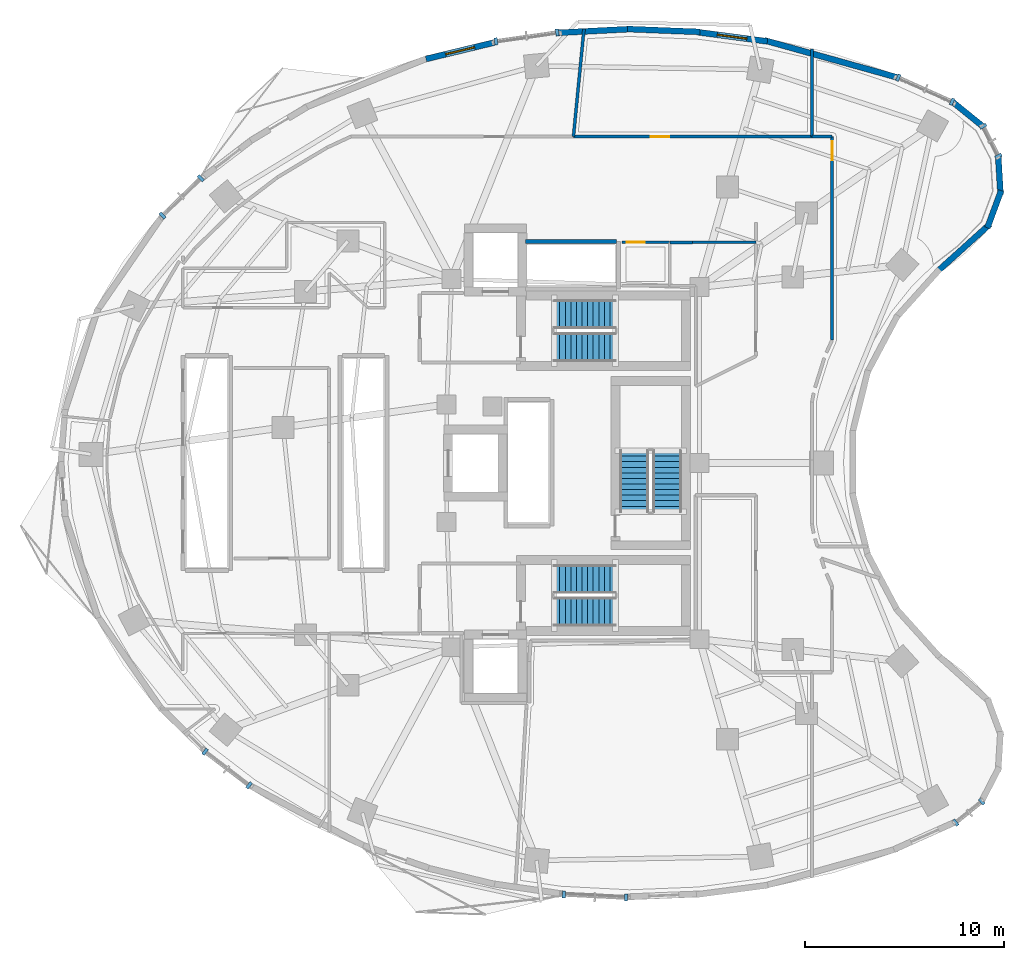
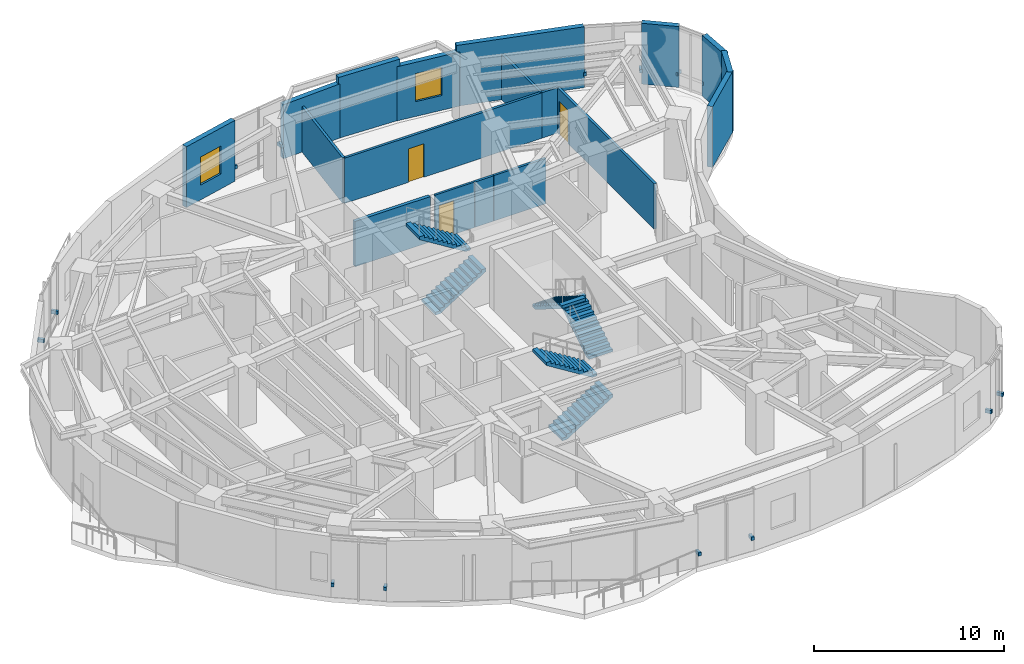
# One storey, part 10 of 13: 18 walls, 14 discrete accessories, 6 stair flights, 3 doors, 2 windows, 5 openings, 3 elements without a shape of their own.
"""IFC4 building model written with IfcOpenShell, lengths in metres."""

from ifc_helpers import new_model, si_unit, direction, frame, frame_2d, origin, origin_2d, place, context, subcontext, project, spatial, polyline, rectangle, outline, extrude, material, layer, layer_set, type_object, element, fill, aggregate, save


model = new_model("IFC4")

# Units and contexts
model_context = context("Model", 3, precision=1e-05, world=origin(), true_north=direction((0.0, 1.0)))
body_context = subcontext(model_context, "Body", "Model", "MODEL_VIEW")
ifc_project = project(units=[si_unit("LENGTHUNIT", "METRE"), si_unit("AREAUNIT", "SQUARE_METRE"), si_unit("VOLUMEUNIT", "CUBIC_METRE"), si_unit("PLANEANGLEUNIT", "RADIAN"), si_unit("MASSUNIT", "GRAM", prefix="KILO")], contexts=[model_context])

# Site, building, storey
site_placement = place(None, origin())
site = spatial("IfcSite", under=ifc_project, at=site_placement, CompositionType="ELEMENT")
building_placement = place(site_placement, origin())
building = spatial("IfcBuilding", under=site, at=building_placement, Name="Korentha Bioscience Tower", CompositionType="ELEMENT")
storey_placement = place(building_placement, frame((0.0, 0.0, 140.39990234375)))
storey = spatial("IfcBuildingStorey", under=building, at=storey_placement, Name="L32", CompositionType="ELEMENT", Elevation=140.39990234375)

# Wall, opening, door
ifc_material_1 = material(Name="Double-Stud Acoustic Gypsum", Category="gypsum")
ifc_layer_1 = layer(ifc_material_1, 0.14990234375, Name="Double-Stud Acoustic Gypsum")
ifc_layer_set_1 = layer_set([ifc_layer_1], Name="Double-Stud Acoustic Gypsum (IW-L150)")
wall_type_1 = type_object("IfcWallType", Name="Acoustic Laboratory Partition Wall 150", PredefinedType="PARTITIONING", material=ifc_layer_set_1)
wall_1_placement = place(storey_placement, frame((44.2099609375, 33.175048828125, 0.0), z_axis=(0.0, 0.0, 1.0), x_axis=(0.0, 1.0, 0.0)))
wall_1 = element("IfcWall", 1, at=wall_1_placement, inside=storey, type_object=wall_type_1, Name="L32 Neurobiology Electrophysiology Lab 06 Entrance Wall", PredefinedType="PARTITIONING", context=body_context, shape_type="SweptSolid", body=[
    extrude(rectangle(XDim=10.224853515625, YDim=0.14990234375, at=frame_2d((5.1123046875, 0.0))), origin(), (0.0, 0.0, 1.0), 2.91015625),
])
opening_1_placement = place(wall_1_placement, frame((9.034912109375, 0.0, 0.0)))
opening_1 = element("IfcOpeningElement", 2, at=opening_1_placement, cuts=wall_1, Name="Opening ID-10L", PredefinedType="OPENING", context=body_context, shape_type="SweptSolid", body=[
    extrude(rectangle(XDim=0.949951171875, YDim=2.14990234375, at=frame_2d((0.47509765625, 1.074951171875))), frame((0.0, 0.08984375, 0.0), z_axis=(0.0, -1.0, 0.0), x_axis=(1.0, 0.0, 0.0)), (0.0, 0.0, 1.0), 0.1796875),
])
ifc_material_2 = material(Name="Phenolic Laminate Timber Core", Category="wood")
door_type_1 = type_object("IfcDoorType", Name="Laboratory Single Leaf Door 950x2150 Left", OperationType="SINGLE_SWING_LEFT", PredefinedType="DOOR", material=ifc_material_2)
door_1_placement = place(opening_1_placement, origin())
door_1 = element("IfcDoor", 3, at=door_1_placement, inside=storey, type_object=door_type_1, Name="L32 Neurobiology Electrophysiology Lab 06 Door", OperationType="SINGLE_SWING_LEFT", OverallHeight=2.14990234375, OverallWidth=0.949951171875, PredefinedType="DOOR", context=body_context, shape_type="SweptSolid", body=[
    extrude(rectangle(XDim=0.949951171875, YDim=2.14990234375, at=frame_2d((0.47509765625, 1.074951171875))), frame((0.0, 0.02490234375, 0.0), z_axis=(0.0, -1.0, 0.0), x_axis=(1.0, 0.0, 0.0)), (0.0, 0.0, 1.0), 0.050048828125),
])
fill(opening_1, door_1)

wall_2_placement = place(storey_placement, frame((43.19189453125, 43.409912109375, 0.0), z_axis=(0.0, 0.0, 1.0), x_axis=(-1.0, 0.0, 0.0)))
wall_2 = element("IfcWall", 4, at=wall_2_placement, inside=storey, type_object=wall_type_1, Name="L32 Bio-Printing Tissue Engineering Lab 08 Entrance Wall", PredefinedType="PARTITIONING", context=body_context, shape_type="SweptSolid", body=[
    extrude(rectangle(XDim=11.97314453125, YDim=0.14990234375, at=frame_2d((5.986572265625, 0.0))), origin(), (0.0, 0.0, 1.0), 2.91015625),
])
opening_2_placement = place(wall_2_placement, frame((7.149658203125, 0.0, 0.0)))
opening_2 = element("IfcOpeningElement", 5, at=opening_2_placement, cuts=wall_2, Name="Opening ID-10L", PredefinedType="OPENING", context=body_context, shape_type="SweptSolid", body=[
    extrude(rectangle(XDim=0.949951171875, YDim=2.14990234375, at=frame_2d((0.47509765625, 1.074951171875))), frame((0.0, 0.08984375, 0.0), z_axis=(0.0, -1.0, 0.0), x_axis=(1.0, 0.0, 0.0)), (0.0, 0.0, 1.0), 0.1796875),
])
door_2_placement = place(opening_2_placement, origin())
door_2 = element("IfcDoor", 6, at=door_2_placement, inside=storey, type_object=door_type_1, Name="L32 Bio-Printing Tissue Engineering Lab 08 Door", OperationType="SINGLE_SWING_LEFT", OverallHeight=2.14990234375, OverallWidth=0.949951171875, PredefinedType="DOOR", context=body_context, shape_type="SweptSolid", body=[
    extrude(rectangle(XDim=0.949951171875, YDim=2.14990234375, at=frame_2d((0.47509765625, 1.074951171875))), frame((0.0, 0.02490234375, 0.0), z_axis=(0.0, -1.0, 0.0), x_axis=(1.0, 0.0, 0.0)), (0.0, 0.0, 1.0), 0.050048828125),
])
fill(opening_2, door_2)

# Walls
wall_3_placement = place(storey_placement, frame((44.199951171875, 43.409912109375, 0.0), z_axis=(0.0, 0.0, 1.0), x_axis=(-1.0, 0.0, 0.0)))
element("IfcWall", 7, at=wall_3_placement, inside=storey, type_object=wall_type_1, Name="L32 Interior Partition 052", PredefinedType="PARTITIONING", context=body_context, shape_type="SweptSolid", body=[
    extrude(rectangle(XDim=0.998046875, YDim=0.14990234375, at=frame_2d((0.4990234375, 0.0))), origin(), (0.0, 0.0, 1.0), 2.91015625),
])
wall_4_placement = place(storey_placement, frame((43.201904296875, 43.409912109375, 0.0), z_axis=(0.0, 0.0, 1.0), x_axis=(0.0, 1.0, 0.0)))
element("IfcWall", 8, at=wall_4_placement, inside=storey, type_object=wall_type_1, Name="L32 Interior Partition 053", PredefinedType="PARTITIONING", context=body_context, shape_type="SweptSolid", body=[
    extrude(rectangle(XDim=4.3984375, YDim=0.14990234375, at=frame_2d((2.19921875, 0.0))), origin(), (0.0, 0.0, 1.0), 2.91015625),
])
wall_5_placement = place(storey_placement, frame((31.21875, 43.409912109375, 0.0), z_axis=(0.0, 0.0, 1.0), x_axis=(0.097560057389, 0.995229639431, 0.0)))
element("IfcWall", 9, at=wall_5_placement, inside=storey, type_object=wall_type_1, Name="L32 Interior Partition 064", PredefinedType="PARTITIONING", context=body_context, shape_type="SweptSolid", body=[
    extrude(rectangle(XDim=5.4228515625, YDim=0.14990234375, at=frame_2d((2.71142578125, 0.0))), origin(), (0.0, 0.0, 1.0), 2.91015625),
])
ifc_material_3 = material(Name="Insulated Aluminium Honeycomb Panel", Category="aluminium")
ifc_layer_2 = layer(ifc_material_3, 0.139892578125, Name="Insulated Aluminium Honeycomb Panel")
ifc_layer_set_2 = layer_set([ifc_layer_2], Name="Insulated Aluminium Honeycomb Panel (IW-F60)")
wall_type_2 = type_object("IfcWallType", Name="Cleanroom Flush Metal Panel Partition 140", PredefinedType="PARTITIONING", material=ifc_layer_set_2)
wall_6_placement = place(storey_placement, frame((36.06005859375, 38.090087890625, 0.0), z_axis=(0.0, 0.0, 1.0), x_axis=(1.0, 0.0, 0.0)))
element("IfcWall", 10, at=wall_6_placement, inside=storey, type_object=wall_type_2, Name="L32 Interior Partition 060", PredefinedType="PARTITIONING", context=body_context, shape_type="SweptSolid", body=[
    extrude(rectangle(XDim=1.139892578125, YDim=0.139892578125, at=frame_2d((0.56982421875, 0.0))), origin(), (0.0, 0.0, 1.0), 2.91015625),
])
wall_7_placement = place(storey_placement, frame((37.2099609375, 38.10009765625, 0.0), z_axis=(0.0, 0.0, 1.0), x_axis=(1.0, 0.0, 0.0)))
element("IfcWall", 11, at=wall_7_placement, inside=storey, type_object=wall_type_2, Name="L32 Interior Partition 062", PredefinedType="PARTITIONING", context=body_context, shape_type="SweptSolid", body=[
    extrude(rectangle(XDim=3.179931640625, YDim=0.139892578125, at=frame_2d((1.58984375, 0.0))), origin(), (0.0, 0.0, 1.0), 2.91015625),
])

# Wall, opening, window
ifc_material_4 = material(Name="Honed Limestone Precast Concrete C40", Category="masonry")
ifc_layer_3 = layer(ifc_material_4, 0.300048828125, Name="Honed Limestone Precast Concrete C40")
ifc_layer_set_3 = layer_set([ifc_layer_3], Name="Honed Limestone Precast Concrete C40 (EW-ST300)")
wall_type_3 = type_object("IfcWallType", Name="Honed Limestone Cavity Spandrel Wall 300", PredefinedType="STANDARD", material=ifc_layer_set_3)
wall_8_placement = place(storey_placement, frame((40.964111328125, 48.18994140625, 0.0), z_axis=(0.0, 0.0, 1.0), x_axis=(-0.991369257822, 0.131099178664, 0.0)))
wall_8 = element("IfcWall", 12, at=wall_8_placement, inside=storey, type_object=wall_type_3, Name="L32 Honed Limestone Spandrel Wall 04", PredefinedType="STANDARD", context=body_context, shape_type="SweptSolid", body=[
    extrude(rectangle(XDim=3.575439453125, YDim=0.300048828125, at=frame_2d((1.78759765625, 0.0))), origin(), (0.0, 0.0, 1.0), 3.47021484375),
])
opening_3_placement = place(wall_8_placement, frame((1.03759765625, 0.0, 0.949951171875)))
opening_3 = element("IfcOpeningElement", 13, at=opening_3_placement, cuts=wall_8, Name="Opening WN-02", PredefinedType="OPENING", context=body_context, shape_type="SweptSolid", body=[
    extrude(rectangle(XDim=1.5, YDim=1.800048828125, at=frame_2d((0.75, 0.89990234375))), frame((0.0, 0.1650390625, 0.0), z_axis=(0.0, -1.0, 0.0), x_axis=(1.0, 0.0, 0.0)), (0.0, 0.0, 1.0), 0.329833984375),
])
ifc_material_5 = material(Name="Thermally Broken Aluminium Triple Glazing", Category="aluminium")
window_type = type_object("IfcWindowType", Name="Acoustic Operable Office Window 1500x1800", PartitioningType="DOUBLE_PANEL_VERTICAL", PredefinedType="WINDOW", material=ifc_material_5)
window_1_placement = place(opening_3_placement, origin())
window_1 = element("IfcWindow", 14, at=window_1_placement, inside=storey, type_object=window_type, Name="L32 Facade Window 04", OverallHeight=1.800048828125, OverallWidth=1.5, PartitioningType="DOUBLE_PANEL_VERTICAL", PredefinedType="WINDOW", context=body_context, shape_type="SweptSolid", body=[
    extrude(rectangle(XDim=1.5, YDim=1.800048828125, at=frame_2d((0.75, 0.89990234375))), frame((0.0, 0.030029296875, 0.0), z_axis=(0.0, -1.0, 0.0), x_axis=(1.0, 0.0, 0.0)), (0.0, 0.0, 1.0), 0.06005859375),
])
fill(opening_3, window_1)

wall_9_placement = place(storey_placement, frame((27.23828125, 48.1337890625, 0.0), z_axis=(0.0, 0.0, 1.0), x_axis=(-0.972049000874, -0.234778065203, 0.0)))
wall_9 = element("IfcWall", 15, at=wall_9_placement, inside=storey, type_object=wall_type_3, Name="L32 Honed Limestone Spandrel Wall 08", PredefinedType="STANDARD", context=body_context, shape_type="SweptSolid", body=[
    extrude(rectangle(XDim=3.5283203125, YDim=0.300048828125, at=frame_2d((1.76416015625, 0.0))), origin(), (0.0, 0.0, 1.0), 3.900146484375),
])
opening_4_placement = place(wall_9_placement, frame((1.014404296875, 0.0, 0.949951171875)))
opening_4 = element("IfcOpeningElement", 16, at=opening_4_placement, cuts=wall_9, Name="Opening WN-02", PredefinedType="OPENING", context=body_context, shape_type="SweptSolid", body=[
    extrude(rectangle(XDim=1.5, YDim=1.800048828125, at=frame_2d((0.75, 0.89990234375))), frame((0.0, 0.1650390625, 0.0), z_axis=(0.0, -1.0, 0.0), x_axis=(1.0, 0.0, 0.0)), (0.0, 0.0, 1.0), 0.329833984375),
])
window_2_placement = place(opening_4_placement, origin())
window_2 = element("IfcWindow", 17, at=window_2_placement, inside=storey, type_object=window_type, Name="L32 Facade Window 08", OverallHeight=1.800048828125, OverallWidth=1.5, PartitioningType="DOUBLE_PANEL_VERTICAL", PredefinedType="WINDOW", context=body_context, shape_type="SweptSolid", body=[
    extrude(rectangle(XDim=1.5, YDim=1.800048828125, at=frame_2d((0.75, 0.89990234375))), frame((0.0, 0.030029296875, 0.0), z_axis=(0.0, -1.0, 0.0), x_axis=(1.0, 0.0, 0.0)), (0.0, 0.0, 1.0), 0.06005859375),
])
fill(opening_4, window_2)

# Walls
wall_10_placement = place(storey_placement, frame((47.47900390625, 46.380126953125, 0.0), z_axis=(0.0, 0.0, 1.0), x_axis=(-0.963116215402, 0.269085777459, 0.0)))
element("IfcWall", 18, at=wall_10_placement, inside=storey, type_object=wall_type_3, Name="L32 Limestone Perimeter Closure Wall 02", PredefinedType="STANDARD", context=body_context, shape_type="SweptSolid", body=[
    extrude(rectangle(XDim=6.923583984375, YDim=0.300048828125, at=frame_2d((3.4619140625, 0.0))), origin(), (0.0, 0.0, 1.0), 3.900146484375),
])
wall_11_placement = place(storey_placement, frame((37.574462890625, 48.666259765625, 0.0), z_axis=(0.0, 0.0, 1.0), x_axis=(-0.999212076676, 0.039689114679, 0.0)))
element("IfcWall", 19, at=wall_11_placement, inside=storey, type_object=wall_type_3, Name="L32 Limestone Perimeter Closure Wall 05", PredefinedType="STANDARD", context=body_context, shape_type="SweptSolid", body=[
    extrude(rectangle(XDim=3.635498046875, YDim=0.300048828125, at=frame_2d((1.81787109375, 0.0))), origin(), (0.0, 0.0, 1.0), 3.900146484375),
])
wall_12_placement = place(storey_placement, frame((34.114501953125, 48.8115234375, 0.0), z_axis=(0.0, 0.0, 1.0), x_axis=(-0.998674767218, -0.051465613004, 0.0)))
element("IfcWall", 20, at=wall_12_placement, inside=storey, type_object=wall_type_3, Name="L32 Limestone Perimeter Closure Wall 06", PredefinedType="STANDARD", context=body_context, shape_type="SweptSolid", body=[
    extrude(rectangle(XDim=3.6337890625, YDim=0.300048828125, at=frame_2d((1.81689453125, 0.0))), origin(), (0.0, 0.0, 1.0), 3.47021484375),
])
wall_13_placement = place(storey_placement, frame((49.51318359375, 36.6357421875, 0.0), z_axis=(0.0, 0.0, 1.0), x_axis=(0.74255963233, 0.669779958221, 0.0)))
element("IfcWall", 21, at=wall_13_placement, inside=storey, type_object=wall_type_3, Name="L32 Limestone Perimeter Closure Wall 57", PredefinedType="STANDARD", context=body_context, shape_type="SweptSolid", body=[
    extrude(rectangle(XDim=3.5390625, YDim=0.300048828125, at=frame_2d((1.76953125, 0.0))), origin(), (0.0, 0.0, 1.0), 3.900146484375),
])
wall_14_placement = place(storey_placement, frame((52.016357421875, 38.822265625, 0.0), z_axis=(0.0, 0.0, 1.0), x_axis=(0.347370087337, 0.937728117539, 0.0)))
element("IfcWall", 22, at=wall_14_placement, inside=storey, type_object=wall_type_3, Name="L32 Limestone Perimeter Closure Wall 59", PredefinedType="STANDARD", context=body_context, shape_type="SweptSolid", body=[
    extrude(rectangle(XDim=1.997314453125, YDim=0.300048828125, at=frame_2d((0.99853515625, 0.0))), origin(), (0.0, 0.0, 1.0), 3.900146484375),
])
for number, where, z_axis, x_axis, name in (
    (23, (52.678955078125, 40.4833984375, 0.0), (0.0, 0.0, 1.0), (-0.060255200356, 0.998183004679, 0.0), "L32 Limestone Perimeter Closure Wall 60"),
    (24, (51.83642578125, 43.880615234375, 0.0), (0.0, 0.0, 1.0), (-0.777338789647, 0.629082193445, 0.0), "L32 Limestone Perimeter Closure Wall 62"),
):
    element("IfcWall", number, at=place(storey_placement, frame(where, z_axis=z_axis, x_axis=x_axis)), inside=storey, type_object=wall_type_3, Name=name, PredefinedType="STANDARD", context=body_context, shape_type="SweptSolid", body=[
        extrude(rectangle(XDim=1.99755859375, YDim=0.300048828125, at=frame_2d((0.998779296875, 0.0))), origin(), (0.0, 0.0, 1.0), 3.900146484375),
    ])
ifc_material_6 = material(Name="Autoclaved Aerated Concrete Block C25", Category="concrete")
ifc_layer_4 = layer(ifc_material_6, 0.199951171875, Name="Autoclaved Aerated Concrete Block C25")
ifc_layer_set_4 = layer_set([ifc_layer_4], Name="Autoclaved Aerated Concrete Block C25 (IW-S200)")
wall_type_4 = type_object("IfcWallType", Name="Lift and Riser Shaft Enclosure Wall 200", PredefinedType="PARTITIONING", material=ifc_layer_set_4)
wall_15_placement = place(storey_placement, frame((28.800048828125, 38.139892578125, 0.0), z_axis=(0.0, 0.0, 1.0), x_axis=(1.0, 0.0, 0.0)))
element("IfcWall", 25, at=wall_15_placement, inside=storey, type_object=wall_type_4, Name="L32 Lift Bank OBS Shaft Wall +Y", PredefinedType="PARTITIONING", context=body_context, shape_type="SweptSolid", body=[
    extrude(rectangle(XDim=4.570068359375, YDim=0.199951171875, at=frame_2d((2.28515625, 0.0))), origin(), (0.0, 0.0, 1.0), 2.91015625),
])

# Wall, opening, door
ifc_material_7 = material(Name="Cement-Board Steel Stud", Category="steel")
ifc_layer_5 = layer(ifc_material_7, 0.1298828125, Name="Cement-Board Steel Stud")
ifc_layer_set_5 = layer_set([ifc_layer_5], Name="Cement-Board Steel Stud (IW-W130)")
wall_type_5 = type_object("IfcWallType", Name="Wet-Area Moisture-Resistant Partition 130", PredefinedType="PARTITIONING", material=ifc_layer_set_5)
wall_16_placement = place(storey_placement, frame((33.64990234375, 38.090087890625, 0.0), z_axis=(0.0, 0.0, 1.0), x_axis=(1.0, 0.0, 0.0)))
wall_16 = element("IfcWall", 26, at=wall_16_placement, inside=storey, type_object=wall_type_5, Name="L32 Accessible Staff WC Entrance Wall", PredefinedType="PARTITIONING", context=body_context, shape_type="SweptSolid", body=[
    extrude(rectangle(XDim=2.400146484375, YDim=0.1298828125, at=frame_2d((1.2001953125, 0.0))), origin(), (0.0, 0.0, 1.0), 2.91015625),
])
opening_5_placement = place(wall_16_placement, frame((0.239990234375, 0.0, 0.0)))
opening_5 = element("IfcOpeningElement", 27, at=opening_5_placement, cuts=wall_16, Name="Opening ID-09L", PredefinedType="OPENING", context=body_context, shape_type="SweptSolid", body=[
    extrude(rectangle(XDim=0.89990234375, YDim=2.14990234375, at=frame_2d((0.449951171875, 1.074951171875))), frame((0.0, 0.079833984375, 0.0), z_axis=(0.0, -1.0, 0.0), x_axis=(1.0, 0.0, 0.0)), (0.0, 0.0, 1.0), 0.15966796875),
])
ifc_material_8 = material(Name="Moisture-Resistant HPL Leaf", Category="wood")
door_type_2 = type_object("IfcDoorType", Name="Restroom & Accessible WC Door 900x2150 Left", OperationType="SINGLE_SWING_LEFT", PredefinedType="DOOR", material=ifc_material_8)
door_3_placement = place(opening_5_placement, origin())
door_3 = element("IfcDoor", 28, at=door_3_placement, inside=storey, type_object=door_type_2, Name="L32 Accessible Staff WC Door", OperationType="SINGLE_SWING_LEFT", OverallHeight=2.14990234375, OverallWidth=0.89990234375, PredefinedType="DOOR", context=body_context, shape_type="SweptSolid", body=[
    extrude(rectangle(XDim=0.89990234375, YDim=2.14990234375, at=frame_2d((0.449951171875, 1.074951171875))), frame((0.0, 0.02490234375, 0.0), z_axis=(0.0, -1.0, 0.0), x_axis=(1.0, 0.0, 0.0)), (0.0, 0.0, 1.0), 0.050048828125),
])
fill(opening_5, door_3)

# Stair, stair flights
ifc_material_9 = material(Name="Precast Concrete C50", Category="concrete")
stair_type = type_object("IfcStairType", Name="Core Exit Dog-Leg Stair 1450", PredefinedType="HALF_TURN_STAIR", material=ifc_material_9)
stair_1_placement = place(storey_placement, origin())
stair_1 = element("IfcStair", 29, at=stair_1_placement, inside=storey, type_object=stair_type, Name="L32 Tower North Pressurized Exit Stair ST-1", PredefinedType="HALF_TURN_STAIR")
stair_flight_type = type_object("IfcStairFlightType", Name="Core Exit Dog-Leg Stair 1450 Flight", PredefinedType="STRAIGHT", material=ifc_material_9)
stair_flight_1_placement = place(storey_placement, frame((30.25, 32.824951171875, 0.0), z_axis=(0.0, 0.0, 1.0), x_axis=(1.0, 0.0, 0.0)))
stair_flight_1 = element("IfcStairFlight", 30, at=stair_flight_1_placement, type_object=stair_flight_type, Name="ST-1 flight 1", NumberOfRisers=12, NumberOfTreads=11, PredefinedType="STRAIGHT", RiserHeight=0.175, TreadLength=0.28, context=body_context, shape_type="SweptSolid", body=[
    extrude(outline(polyline([(0.0, 0.0), (0.0, 0.175048828125), (0.280029296875, 0.175048828125), (0.280029296875, 0.35009765625), (0.56005859375, 0.35009765625), (0.56005859375, 0.52490234375), (0.840087890625, 0.52490234375), (0.840087890625, 0.699951171875), (1.1201171875, 0.699951171875), (1.1201171875, 0.875), (1.39990234375, 0.875), (1.39990234375, 1.050048828125), (1.679931640625, 1.050048828125), (1.679931640625, 1.22509765625), (1.9599609375, 1.22509765625), (1.9599609375, 1.39990234375), (2.239990234375, 1.39990234375), (2.239990234375, 1.574951171875), (2.52001953125, 1.574951171875), (2.52001953125, 1.75), (2.800048828125, 1.75), (2.800048828125, 1.925048828125), (3.080078125, 1.925048828125), (3.080078125, 2.10009765625), (3.080078125, 1.736328125), (0.3017578125, 0.0), (0.0, 0.0)])), frame((0.0, 0.72509765625, 0.0), z_axis=(0.0, -1.0, 0.0), x_axis=(1.0, 0.0, 0.0)), (0.0, 0.0, 1.0), 1.449951171875),
])
stair_flight_2_placement = place(storey_placement, frame((33.330078125, 34.47509765625, 2.10009765625), z_axis=(0.0, 0.0, 1.0), x_axis=(-1.0, 0.0, 0.0)))
stair_flight_2 = element("IfcStairFlight", 31, at=stair_flight_2_placement, type_object=stair_flight_type, Name="ST-1 flight 2", NumberOfRisers=12, NumberOfTreads=11, PredefinedType="STRAIGHT", RiserHeight=0.175, TreadLength=0.28, context=body_context, shape_type="SweptSolid", body=[
    extrude(outline(polyline([(0.0, 0.0), (0.0, 0.175048828125), (0.280029296875, 0.175048828125), (0.280029296875, 0.35009765625), (0.56005859375, 0.35009765625), (0.56005859375, 0.52490234375), (0.840087890625, 0.52490234375), (0.840087890625, 0.699951171875), (1.1201171875, 0.699951171875), (1.1201171875, 0.875), (1.39990234375, 0.875), (1.39990234375, 1.050048828125), (1.679931640625, 1.050048828125), (1.679931640625, 1.22509765625), (1.9599609375, 1.22509765625), (1.9599609375, 1.39990234375), (2.239990234375, 1.39990234375), (2.239990234375, 1.574951171875), (2.52001953125, 1.574951171875), (2.52001953125, 1.75), (2.800048828125, 1.75), (2.800048828125, 1.925048828125), (3.080078125, 1.925048828125), (3.080078125, 2.10009765625), (3.080078125, 1.736328125), (0.3017578125, 0.0), (0.0, 0.0)])), frame((0.0, 0.72509765625, 0.0), z_axis=(0.0, -1.0, 0.0), x_axis=(1.0, 0.0, 0.0)), (0.0, 0.0, 1.0), 1.449951171875),
])
aggregate(stair_1, [stair_flight_1, stair_flight_2])

stair_2_placement = place(storey_placement, origin())
stair_2 = element("IfcStair", 32, at=stair_2_placement, inside=storey, type_object=stair_type, Name="L32 Tower South Pressurized Exit Stair ST-2", PredefinedType="HALF_TURN_STAIR")
stair_flight_3_placement = place(storey_placement, frame((30.25, 19.52490234375, 0.0), z_axis=(0.0, 0.0, 1.0), x_axis=(1.0, 0.0, 0.0)))
stair_flight_3 = element("IfcStairFlight", 33, at=stair_flight_3_placement, type_object=stair_flight_type, Name="ST-2 flight 1", NumberOfRisers=12, NumberOfTreads=11, PredefinedType="STRAIGHT", RiserHeight=0.175, TreadLength=0.28, context=body_context, shape_type="SweptSolid", body=[
    extrude(outline(polyline([(0.0, 0.0), (0.0, 0.175048828125), (0.280029296875, 0.175048828125), (0.280029296875, 0.35009765625), (0.56005859375, 0.35009765625), (0.56005859375, 0.52490234375), (0.840087890625, 0.52490234375), (0.840087890625, 0.699951171875), (1.1201171875, 0.699951171875), (1.1201171875, 0.875), (1.39990234375, 0.875), (1.39990234375, 1.050048828125), (1.679931640625, 1.050048828125), (1.679931640625, 1.22509765625), (1.9599609375, 1.22509765625), (1.9599609375, 1.39990234375), (2.239990234375, 1.39990234375), (2.239990234375, 1.574951171875), (2.52001953125, 1.574951171875), (2.52001953125, 1.75), (2.800048828125, 1.75), (2.800048828125, 1.925048828125), (3.080078125, 1.925048828125), (3.080078125, 2.10009765625), (3.080078125, 1.736328125), (0.3017578125, 0.0), (0.0, 0.0)])), frame((0.0, 0.72509765625, 0.0), z_axis=(0.0, -1.0, 0.0), x_axis=(1.0, 0.0, 0.0)), (0.0, 0.0, 1.0), 1.449951171875),
])
stair_flight_4_placement = place(storey_placement, frame((33.330078125, 21.175048828125, 2.10009765625), z_axis=(0.0, 0.0, 1.0), x_axis=(-1.0, 0.0, 0.0)))
stair_flight_4 = element("IfcStairFlight", 34, at=stair_flight_4_placement, type_object=stair_flight_type, Name="ST-2 flight 2", NumberOfRisers=12, NumberOfTreads=11, PredefinedType="STRAIGHT", RiserHeight=0.175, TreadLength=0.28, context=body_context, shape_type="SweptSolid", body=[
    extrude(outline(polyline([(0.0, 0.0), (0.0, 0.175048828125), (0.280029296875, 0.175048828125), (0.280029296875, 0.35009765625), (0.56005859375, 0.35009765625), (0.56005859375, 0.52490234375), (0.840087890625, 0.52490234375), (0.840087890625, 0.699951171875), (1.1201171875, 0.699951171875), (1.1201171875, 0.875), (1.39990234375, 0.875), (1.39990234375, 1.050048828125), (1.679931640625, 1.050048828125), (1.679931640625, 1.22509765625), (1.9599609375, 1.22509765625), (1.9599609375, 1.39990234375), (2.239990234375, 1.39990234375), (2.239990234375, 1.574951171875), (2.52001953125, 1.574951171875), (2.52001953125, 1.75), (2.800048828125, 1.75), (2.800048828125, 1.925048828125), (3.080078125, 1.925048828125), (3.080078125, 2.10009765625), (3.080078125, 1.736328125), (0.3017578125, 0.0), (0.0, 0.0)])), frame((0.0, 0.72509765625, 0.0), z_axis=(0.0, -1.0, 0.0), x_axis=(1.0, 0.0, 0.0)), (0.0, 0.0, 1.0), 1.449951171875),
])
aggregate(stair_2, [stair_flight_3, stair_flight_4])

stair_3_placement = place(storey_placement, origin())
stair_3 = element("IfcStair", 35, at=stair_3_placement, inside=storey, type_object=stair_type, Name="L32 Tower Central Pressurized Exit Stair ST-3", PredefinedType="HALF_TURN_STAIR")
stair_flight_5_placement = place(storey_placement, frame((35.925048828125, 24.550048828125, 0.0), z_axis=(0.0, 0.0, 1.0), x_axis=(0.0, 1.0, 0.0)))
stair_flight_5 = element("IfcStairFlight", 36, at=stair_flight_5_placement, type_object=stair_flight_type, Name="ST-3 flight 1", NumberOfRisers=12, NumberOfTreads=11, PredefinedType="STRAIGHT", RiserHeight=0.175, TreadLength=0.28, context=body_context, shape_type="SweptSolid", body=[
    extrude(outline(polyline([(0.0, 0.0), (0.0, 0.175048828125), (0.280029296875, 0.175048828125), (0.280029296875, 0.35009765625), (0.56005859375, 0.35009765625), (0.56005859375, 0.52490234375), (0.840087890625, 0.52490234375), (0.840087890625, 0.699951171875), (1.1201171875, 0.699951171875), (1.1201171875, 0.875), (1.39990234375, 0.875), (1.39990234375, 1.050048828125), (1.679931640625, 1.050048828125), (1.679931640625, 1.22509765625), (1.9599609375, 1.22509765625), (1.9599609375, 1.39990234375), (2.239990234375, 1.39990234375), (2.239990234375, 1.574951171875), (2.52001953125, 1.574951171875), (2.52001953125, 1.75), (2.800048828125, 1.75), (2.800048828125, 1.925048828125), (3.080078125, 1.925048828125), (3.080078125, 2.10009765625), (3.080078125, 1.736328125), (0.3017578125, 0.0), (0.0, 0.0)])), frame((0.0, 0.72509765625, 0.0), z_axis=(0.0, -1.0, 0.0), x_axis=(1.0, 0.0, 0.0)), (0.0, 0.0, 1.0), 1.449951171875),
])
stair_flight_6_placement = place(storey_placement, frame((34.27490234375, 27.6298828125, 2.10009765625), z_axis=(0.0, 0.0, 1.0), x_axis=(0.0, -1.0, 0.0)))
stair_flight_6 = element("IfcStairFlight", 37, at=stair_flight_6_placement, type_object=stair_flight_type, Name="ST-3 flight 2", NumberOfRisers=12, NumberOfTreads=11, PredefinedType="STRAIGHT", RiserHeight=0.175, TreadLength=0.28, context=body_context, shape_type="SweptSolid", body=[
    extrude(outline(polyline([(0.0, 0.0), (0.0, 0.175048828125), (0.280029296875, 0.175048828125), (0.280029296875, 0.35009765625), (0.56005859375, 0.35009765625), (0.56005859375, 0.52490234375), (0.840087890625, 0.52490234375), (0.840087890625, 0.699951171875), (1.1201171875, 0.699951171875), (1.1201171875, 0.875), (1.39990234375, 0.875), (1.39990234375, 1.050048828125), (1.679931640625, 1.050048828125), (1.679931640625, 1.22509765625), (1.9599609375, 1.22509765625), (1.9599609375, 1.39990234375), (2.239990234375, 1.39990234375), (2.239990234375, 1.574951171875), (2.52001953125, 1.574951171875), (2.52001953125, 1.75), (2.800048828125, 1.75), (2.800048828125, 1.925048828125), (3.080078125, 1.925048828125), (3.080078125, 2.10009765625), (3.080078125, 1.736328125), (0.3017578125, 0.0), (0.0, 0.0)])), frame((0.0, 0.72509765625, 0.0), z_axis=(0.0, -1.0, 0.0), x_axis=(1.0, 0.0, 0.0)), (0.0, 0.0, 1.0), 1.449951171875),
])
aggregate(stair_3, [stair_flight_5, stair_flight_6])

# Discrete accessories
ifc_material_10 = material(Name="Stainless Steel 316", Category="steel")
discrete_accessory_type = type_object("IfcDiscreteAccessoryType", Name="Stainless Steel Solar-Screen Outrigger Bracket", PredefinedType="BRACKET", material=ifc_material_10)
for number, where, z_axis, x_axis, name in (
    (38, (50.241455078125, 45.161376953125, 0.740234375), (0.0, 0.0, 1.0), (-0.912686563127, 0.408660295952, 0.0), "CW-L32-01 Solar-Screen Support Bracket 1"),
    (39, (47.542236328125, 46.3701171875, 0.740234375), (0.0, 0.0, 1.0), (-0.912686563127, 0.408660295952, 0.0), "CW-L32-01 Solar-Screen Support Bracket 2"),
    (40, (30.40380859375, 48.635009765625, 0.740234375), (0.0, 0.0, 1.0), (-0.989738282326, -0.14289203091, 0.0), "CW-L32-07 Solar-Screen Support Bracket 1"),
    (41, (27.328369140625, 48.19091796875, 0.740234375), (0.0, 0.0, 1.0), (-0.989738282326, -0.14289203091, 0.0), "CW-L32-07 Solar-Screen Support Bracket 2"),
    (42, (12.496826171875, 41.316162109375, 0.740234375), (0.0, 0.0, 1.0), (-0.716095631804, -0.698002182025, 0.0), "CW-L32-13 Solar-Screen Support Bracket 1"),
    (43, (10.5673828125, 39.435302734375, 0.740234375), (0.0, 0.0, 1.0), (-0.716095631804, -0.698002182025, 0.0), "CW-L32-13 Solar-Screen Support Bracket 2"),
    (44, (12.708740234375, 12.501220703125, 0.740234375), (0.0, 0.0, 1.0), (0.794499603893, -0.607264669986, 0.0), "CW-L32-25 Solar-Screen Support Bracket 1"),
    (45, (14.920166015625, 10.810791015625, 0.740234375), (0.0, 0.0, 1.0), (0.794499603893, -0.607264669986, 0.0), "CW-L32-25 Solar-Screen Support Bracket 2"),
    (46, (30.737060546875, 5.33251953125, 0.740234375), (0.0, 0.0, 1.0), (0.998673231344, -0.051495407527, 0.0), "CW-L32-31 Solar-Screen Support Bracket 1"),
    (47, (33.860107421875, 5.17138671875, 0.740234375), (0.0, 0.0, 1.0), (0.998673231344, -0.051495407527, 0.0), "CW-L32-31 Solar-Screen Support Bracket 2"),
    (48, (50.423095703125, 8.93701171875, 0.740234375), (0.0, 0.0, 1.0), (0.777315301098, 0.629111216463, 0.0), "CW-L32-37 Solar-Screen Support Bracket 1"),
    (49, (51.734619140625, 9.998779296875, 0.740234375), (0.0, 0.0, 1.0), (0.777315301098, 0.629111216463, 0.0), "CW-L32-37 Solar-Screen Support Bracket 2"),
    (50, (52.571044921875, 42.42236328125, 0.740234375), (0.0, 0.0, 1.0), (-0.457613117169, 0.889151412862, 0.0), "CW-L32-61 Solar-Screen Support Bracket 1"),
    (51, (51.798828125, 43.922607421875, 0.740234375), (0.0, 0.0, 1.0), (-0.457613117169, 0.889151412862, 0.0), "CW-L32-61 Solar-Screen Support Bracket 2"),
):
    element("IfcDiscreteAccessory", number, at=place(storey_placement, frame(where, z_axis=z_axis, x_axis=x_axis)), inside=storey, type_object=discrete_accessory_type, Name=name, PredefinedType="BRACKET", context=body_context, shape_type="SweptSolid", body=[
        extrude(rectangle(XDim=0.159912109375, YDim=0.360107421875, at=origin_2d()), origin(), (0.0, 0.0, 1.0), 0.219970703125),
    ])

save(model, "model.ifc")
